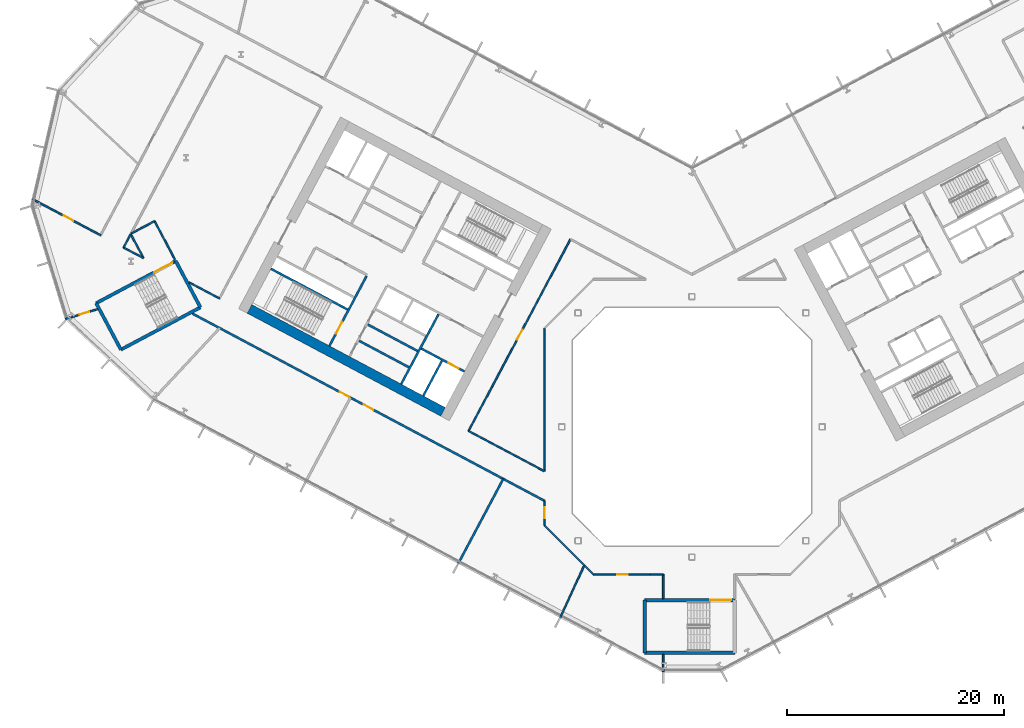
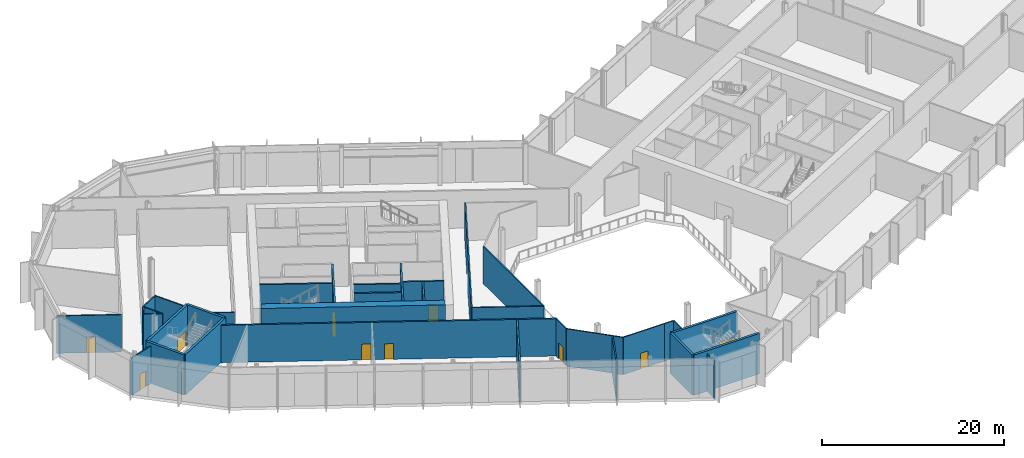
# One storey, part 12 of 32: 36 walls, 11 doors, 11 openings.
"""IFC4 building model written with IfcOpenShell, lengths in metres."""

from ifc_helpers import new_model, si_unit, direction, frame, frame_2d, origin, place, context, subcontext, project, spatial, rectangle, extrude, material, layer, layer_set, type_object, element, fill, save


model = new_model("IFC4")

# Units and contexts
model_context = context("Model", 3, precision=1e-05, world=origin(), true_north=direction((0.0, 1.0)))
body_context = subcontext(model_context, "Body", "Model", "MODEL_VIEW")
ifc_project = project(units=[si_unit("LENGTHUNIT", "METRE"), si_unit("AREAUNIT", "SQUARE_METRE"), si_unit("VOLUMEUNIT", "CUBIC_METRE"), si_unit("PLANEANGLEUNIT", "RADIAN"), si_unit("MASSUNIT", "GRAM", prefix="KILO")], contexts=[model_context])

# Site, building, storey
site_placement = place(None, origin())
site = spatial("IfcSite", under=ifc_project, at=site_placement, CompositionType="ELEMENT")
building_placement = place(site_placement, origin())
building = spatial("IfcBuilding", under=site, at=building_placement, Name="Cormorant Relay Tower", CompositionType="ELEMENT")
storey_placement = place(building_placement, frame((0.0, 0.0, 60.800048828125)))
storey = spatial("IfcBuildingStorey", under=building, at=storey_placement, Name="L11", CompositionType="ELEMENT", Elevation=60.800048828125)

# Walls
ifc_material_1 = material(Name="Concrete 40 MPa", Category="concrete")
ifc_layer_1 = layer(ifc_material_1, 0.199951171875)
ifc_layer_set_1 = layer_set([ifc_layer_1], Name="Core internal wall 200")
wall_type_1 = type_object("IfcWallType", Name="Core internal wall 200", PredefinedType="SOLIDWALL", material=ifc_layer_set_1)
for number, where, z_axis, x_axis, name in (
    (1, (-25.279541015625, 6.985595703125, 0.0), (0.0, 0.0, 1.0), (-0.882934506056, 0.469496174655, 0.0), "L11 core A shaft and room wall"),
    (2, (-26.07763671875, 5.484619140625, 0.0), (0.0, 0.0, 1.0), (-0.882934506056, 0.469496174655, 0.0), "L11 core A shaft and room wall"),
):
    element("IfcWall", number, at=place(storey_placement, frame(where, z_axis=z_axis, x_axis=x_axis)), inside=storey, type_object=wall_type_1, Name=name, PredefinedType="SOLIDWALL", context=body_context, shape_type="SweptSolid", body=[
        extrude(rectangle(XDim=5.199951171875, YDim=0.199951171875, at=frame_2d((2.60009765625, 0.0))), origin(), (0.0, 0.0, 1.0), 5.39990234375),
    ])
ifc_material_2 = material(Name="Concrete 50 MPa", Category="concrete")
ifc_layer_2 = layer(ifc_material_2, 0.199951171875)
ifc_layer_set_2 = layer_set([ifc_layer_2], Name="Core shaft wall 200")
wall_type_2 = type_object("IfcWallType", Name="Core shaft wall 200", PredefinedType="SHEAR", material=ifc_layer_set_2)
wall_1_placement = place(storey_placement, frame((-23.04296875, 6.07958984375, 0.0), z_axis=(0.0, 0.0, 1.0), x_axis=(-0.469494272526, -0.882935517501, 0.0)))
element("IfcWall", 3, at=wall_1_placement, inside=storey, type_object=wall_type_2, Name="L11 core A shaft wall", PredefinedType="SHEAR", context=body_context, shape_type="SweptSolid", body=[
    extrude(rectangle(XDim=3.64990234375, YDim=0.199951171875, at=frame_2d((1.824951171875, 0.0))), origin(), (0.0, 0.0, 1.0), 5.39990234375),
])
wall_2_placement = place(storey_placement, frame((-23.360107421875, 10.38232421875, 0.0), z_axis=(0.0, 0.0, 1.0), x_axis=(-0.469480409012, -0.88294288918, 0.0)))
element("IfcWall", 4, at=wall_2_placement, inside=storey, type_object=wall_type_2, Name="L11 core A shaft wall", PredefinedType="SHEAR", context=body_context, shape_type="SweptSolid", body=[
    extrude(rectangle(XDim=7.300048828125, YDim=0.199951171875, at=frame_2d((3.64990234375, 0.0))), origin(), (0.0, 0.0, 1.0), 5.39990234375),
])

# Wall, opening, door
wall_3_placement = place(storey_placement, frame((-29.982421875, 13.9033203125, 0.0), z_axis=(0.0, 0.0, 1.0), x_axis=(-0.469454336211, -0.882956752176, 0.0)))
wall_3 = element("IfcWall", 5, at=wall_3_placement, inside=storey, type_object=wall_type_2, Name="L11 core A shaft wall", PredefinedType="SHEAR", context=body_context, shape_type="SweptSolid", body=[
    extrude(rectangle(XDim=7.300048828125, YDim=0.199951171875, at=frame_2d((3.64990234375, 0.0))), origin(), (0.0, 0.0, 1.0), 5.39990234375),
])
opening_1_placement = place(wall_3_placement, frame((4.800048828125, 0.0, 0.0)))
opening_1 = element("IfcOpeningElement", 6, at=opening_1_placement, cuts=wall_3, Name="Opening CDB-020", PredefinedType="OPENING", context=body_context, shape_type="SweptSolid", body=[
    extrude(rectangle(XDim=1.199951171875, YDim=2.10009765625, at=frame_2d((0.60009765625, 1.050048828125))), frame((0.0, 0.10986328125, 0.0), z_axis=(0.0, -1.0, 0.0), x_axis=(1.0, 0.0, 0.0)), (0.0, 0.0, 1.0), 0.219970703125),
])
ifc_material_3 = material(Name="Steel fire door", Category="steel")
door_type_1 = type_object("IfcDoorType", Name="Core stair door 1200x2100", OperationType="SINGLE_SWING_LEFT", PredefinedType="DOOR", material=ifc_material_3)
door_1_placement = place(opening_1_placement, frame((1.199951171875, 0.0, 0.0), z_axis=(0.0, 0.0, 1.0), x_axis=(-1.0, 0.0, 0.0)))
door_1 = element("IfcDoor", 7, at=door_1_placement, inside=storey, type_object=door_type_1, Name="Core stair door 1200x2100", OperationType="SINGLE_SWING_RIGHT", OverallHeight=2.10009765625, OverallWidth=1.199951171875, PredefinedType="DOOR", context=body_context, shape_type="SweptSolid", body=[
    extrude(rectangle(XDim=1.199951171875, YDim=2.10009765625, at=frame_2d((0.60009765625, 1.050048828125))), frame((0.0, 0.02490234375, 0.0), z_axis=(0.0, -1.0, 0.0), x_axis=(1.0, 0.0, 0.0)), (0.0, 0.0, 1.0), 0.050048828125),
])
fill(opening_1, door_1)

wall_4_placement = place(storey_placement, frame((-20.96533203125, 5.088134765625, 0.0), z_axis=(0.0, 0.0, 1.0), x_axis=(-0.882925986334, 0.469512196493, 0.0)))
wall_4 = element("IfcWall", 8, at=wall_4_placement, inside=storey, type_object=wall_type_2, Name="L11 core A shaft wall", PredefinedType="SHEAR", context=body_context, shape_type="SweptSolid", body=[
    extrude(rectangle(XDim=4.5, YDim=0.199951171875, at=frame_2d((2.25, 0.0))), origin(), (0.0, 0.0, 1.0), 5.39990234375),
])
opening_2_placement = place(wall_4_placement, frame((0.60009765625, 0.0, 0.0)))
opening_2 = element("IfcOpeningElement", 9, at=opening_2_placement, cuts=wall_4, Name="Opening LD1-019", PredefinedType="OPENING", context=body_context, shape_type="SweptSolid", body=[
    extrude(rectangle(XDim=1.10009765625, YDim=2.10009765625, at=frame_2d((0.550048828125, 1.050048828125))), frame((0.0, 0.10986328125, 0.0), z_axis=(0.0, -1.0, 0.0), x_axis=(1.0, 0.0, 0.0)), (0.0, 0.0, 1.0), 0.219970703125),
])
ifc_material_4 = material(Name="Stainless steel 316", Category="steel")
door_type_2 = type_object("IfcDoorType", Name="Lift landing door 1100x2100", OperationType="DOUBLE_DOOR_SLIDING", PredefinedType="DOOR", material=ifc_material_4)
door_2_placement = place(opening_2_placement, origin())
door_2 = element("IfcDoor", 10, at=door_2_placement, inside=storey, type_object=door_type_2, Name="FF1 landing door", OperationType="DOUBLE_DOOR_SLIDING", OverallHeight=2.10009765625, OverallWidth=1.10009765625, PredefinedType="DOOR", context=body_context, shape_type="SweptSolid", body=[
    extrude(rectangle(XDim=1.10009765625, YDim=2.10009765625, at=frame_2d((0.550048828125, 1.050048828125))), frame((0.0, 0.02490234375, 0.0), z_axis=(0.0, -1.0, 0.0), x_axis=(1.0, 0.0, 0.0)), (0.0, 0.0, 1.0), 0.050048828125),
])
fill(opening_2, door_2)

# Walls
wall_5_placement = place(storey_placement, frame((-31.7373046875, 10.815673828125, 0.0), z_axis=(0.0, 0.0, 1.0), x_axis=(-0.882940221191, 0.469485426614, 0.0)))
element("IfcWall", 11, at=wall_5_placement, inside=storey, type_object=wall_type_2, Name="L11 core A shaft wall", PredefinedType="SHEAR", context=body_context, shape_type="SweptSolid", body=[
    extrude(rectangle(XDim=8.0, YDim=0.199951171875, at=frame_2d((4.0, 0.0))), origin(), (0.0, 0.0, 1.0), 5.39990234375),
])
ifc_material_5 = material(Name="Concrete 70 MPa", Category="concrete")
ifc_layer_3 = layer(ifc_material_5, 0.89990234375)
ifc_layer_set_3 = layer_set([ifc_layer_3], Name="Core wall 900")
wall_type_3 = type_object("IfcWallType", Name="Core wall 900", PredefinedType="SHEAR", material=ifc_layer_set_3)
wall_6_placement = place(storey_placement, frame((-22.93701171875, 1.3798828125, 0.0), z_axis=(0.0, 0.0, 1.0), x_axis=(-0.88295276571, 0.46946183394, 0.0)))
element("IfcWall", 12, at=wall_6_placement, inside=storey, type_object=wall_type_3, Name="L11 core A wall", PredefinedType="SHEAR", context=body_context, shape_type="SweptSolid", body=[
    extrude(rectangle(XDim=20.199951171875, YDim=0.89990234375, at=frame_2d((10.10009765625, 0.0))), origin(), (0.0, 0.0, 1.0), 5.39990234375),
])

# Wall, openings, doors
ifc_material_6 = material(Name="Fire-rated gypsum board partition")
ifc_layer_4 = layer(ifc_material_6, 0.199951171875)
ifc_layer_set_4 = layer_set([ifc_layer_4], Name="Fire-rated gypsum partition 200")
wall_type_4 = type_object("IfcWallType", Name="Fire-rated gypsum partition 200", PredefinedType="PARTITIONING", material=ifc_layer_set_4)
wall_7_placement = place(storey_placement, frame((-13.60009765625, -6.81298828125, 0.0), z_axis=(0.0, 0.0, 1.0), x_axis=(-0.882934546757, 0.469496098113, 0.0)))
wall_7 = element("IfcWall", 13, at=wall_7_placement, inside=storey, type_object=wall_type_4, Name="wall/L11/part/16", PredefinedType="PARTITIONING", context=body_context, shape_type="SweptSolid", body=[
    extrude(rectangle(XDim=36.757568359375, YDim=0.199951171875, at=frame_2d((18.37890625, 0.0))), origin(), (0.0, 0.0, 1.0), 5.0),
])
opening_3_placement = place(wall_7_placement, frame((20.35009765625, 0.0, 0.0)))
opening_3 = element("IfcOpeningElement", 14, at=opening_3_placement, cuts=wall_7, Name="Opening FD1-066", PredefinedType="OPENING", context=body_context, shape_type="SweptSolid", body=[
    extrude(rectangle(XDim=1.0, YDim=2.10009765625, at=frame_2d((0.5, 1.050048828125))), frame((0.0, 0.10986328125, 0.0), z_axis=(0.0, -1.0, 0.0), x_axis=(1.0, 0.0, 0.0)), (0.0, 0.0, 1.0), 0.219970703125),
])
opening_4_placement = place(wall_7_placement, frame((17.85009765625, 0.0, 0.0)))
opening_4 = element("IfcOpeningElement", 15, at=opening_4_placement, cuts=wall_7, Name="Opening FD1-067", PredefinedType="OPENING", context=body_context, shape_type="SweptSolid", body=[
    extrude(rectangle(XDim=1.0, YDim=2.10009765625, at=frame_2d((0.5, 1.050048828125))), frame((0.0, 0.10986328125, 0.0), z_axis=(0.0, -1.0, 0.0), x_axis=(1.0, 0.0, 0.0)), (0.0, 0.0, 1.0), 0.219970703125),
])
ifc_material_7 = material(Name="Fire-rated steel door", Category="steel")
door_type_3 = type_object("IfcDoorType", Name="Fire door 1000 x 2100", OperationType="SINGLE_SWING_LEFT", PredefinedType="DOOR", material=ifc_material_7)
door_3_placement = place(opening_3_placement, origin())
door_3 = element("IfcDoor", 16, at=door_3_placement, inside=storey, type_object=door_type_3, Name="door/L11/18", OperationType="SINGLE_SWING_LEFT", OverallHeight=2.10009765625, OverallWidth=1.0, PredefinedType="DOOR", context=body_context, shape_type="SweptSolid", body=[
    extrude(rectangle(XDim=1.0, YDim=2.10009765625, at=frame_2d((0.5, 1.050048828125))), frame((0.0, 0.02490234375, 0.0), z_axis=(0.0, -1.0, 0.0), x_axis=(1.0, 0.0, 0.0)), (0.0, 0.0, 1.0), 0.050048828125),
])
fill(opening_3, door_3)
door_4_placement = place(opening_4_placement, origin())
door_4 = element("IfcDoor", 17, at=door_4_placement, inside=storey, type_object=door_type_3, Name="door/L11/19", OperationType="SINGLE_SWING_RIGHT", OverallHeight=2.10009765625, OverallWidth=1.0, PredefinedType="DOOR", context=body_context, shape_type="SweptSolid", body=[
    extrude(rectangle(XDim=1.0, YDim=2.10009765625, at=frame_2d((0.5, 1.050048828125))), frame((0.0, 0.02490234375, 0.0), z_axis=(0.0, -1.0, 0.0), x_axis=(1.0, 0.0, 0.0)), (0.0, 0.0, 1.0), 0.050048828125),
])
fill(opening_4, door_4)

# Wall
wall_8_placement = place(storey_placement, frame((-17.387939453125, -4.798095703125, 0.0), z_axis=(0.0, 0.0, 1.0), x_axis=(-0.469532456729, -0.882915212281, 0.0)))
element("IfcWall", 18, at=wall_8_placement, inside=storey, type_object=wall_type_4, Name="wall/L11/part/19", PredefinedType="PARTITIONING", context=body_context, shape_type="SweptSolid", body=[
    extrude(rectangle(XDim=8.80029296875, YDim=0.199951171875, at=frame_2d((4.400146484375, 0.0))), origin(), (0.0, 0.0, 1.0), 5.0),
])

# Wall, opening, door
ifc_material_8 = material(Name="Gypsum board partition")
ifc_layer_5 = layer(ifc_material_8, 0.14990234375)
ifc_layer_set_5 = layer_set([ifc_layer_5], Name="Gypsum board partition 150")
wall_type_5 = type_object("IfcWallType", Name="Gypsum board partition 150", PredefinedType="PARTITIONING", material=ifc_layer_set_5)
wall_9_placement = place(storey_placement, frame((-54.492919921875, 17.64892578125, 0.0), z_axis=(0.0, 0.0, 1.0), x_axis=(-0.882938254124, 0.469489125971, 0.0)))
wall_9 = element("IfcWall", 19, at=wall_9_placement, inside=storey, type_object=wall_type_5, Name="wall/L11/part/4", PredefinedType="PARTITIONING", context=body_context, shape_type="SweptSolid", body=[
    extrude(rectangle(XDim=7.127197265625, YDim=0.14990234375, at=frame_2d((3.5634765625, 0.0))), origin(), (0.0, 0.0, 1.0), 5.0),
])
opening_5_placement = place(wall_9_placement, frame((2.85009765625, 0.0, 0.0)))
opening_5 = element("IfcOpeningElement", 20, at=opening_5_placement, cuts=wall_9, Name="Opening D1-024", PredefinedType="OPENING", context=body_context, shape_type="SweptSolid", body=[
    extrude(rectangle(XDim=1.0, YDim=2.10009765625, at=frame_2d((0.5, 1.050048828125))), frame((0.0, 0.0849609375, 0.0), z_axis=(0.0, -1.0, 0.0), x_axis=(1.0, 0.0, 0.0)), (0.0, 0.0, 1.0), 0.169921875),
])
ifc_material_9 = material(Name="Painted steel door", Category="steel")
door_type_4 = type_object("IfcDoorType", Name="Single door 1000 x 2100", OperationType="SINGLE_SWING_LEFT", PredefinedType="DOOR", material=ifc_material_9)
door_5_placement = place(opening_5_placement, frame((1.0, 0.0, 0.0), z_axis=(0.0, 0.0, 1.0), x_axis=(-1.0, 0.0, 0.0)))
door_5 = element("IfcDoor", 21, at=door_5_placement, inside=storey, type_object=door_type_4, Name="door/L11/2", OperationType="SINGLE_SWING_RIGHT", OverallHeight=2.10009765625, OverallWidth=1.0, PredefinedType="DOOR", context=body_context, shape_type="SweptSolid", body=[
    extrude(rectangle(XDim=1.0, YDim=2.10009765625, at=frame_2d((0.5, 1.050048828125))), frame((0.0, 0.02490234375, 0.0), z_axis=(0.0, -1.0, 0.0), x_axis=(1.0, 0.0, 0.0)), (0.0, 0.0, 1.0), 0.050048828125),
])
fill(opening_5, door_5)

wall_10_placement = place(storey_placement, frame((-54.7607421875, 10.847900390625, 0.0), z_axis=(0.0, 0.0, 1.0), x_axis=(-0.956301064033, -0.29238378021, 0.0)))
wall_10 = element("IfcWall", 22, at=wall_10_placement, inside=storey, type_object=wall_type_5, Name="wall/L11/part/5", PredefinedType="PARTITIONING", context=body_context, shape_type="SweptSolid", body=[
    extrude(rectangle(XDim=3.115478515625, YDim=0.14990234375, at=frame_2d((1.5576171875, 0.0))), origin(), (0.0, 0.0, 1.0), 5.0),
])
opening_6_placement = place(wall_10_placement, frame((0.820068359375, 0.0, 0.0)))
opening_6 = element("IfcOpeningElement", 23, at=opening_6_placement, cuts=wall_10, Name="Opening D2-009", PredefinedType="OPENING", context=body_context, shape_type="SweptSolid", body=[
    extrude(rectangle(XDim=0.949951171875, YDim=2.10009765625, at=frame_2d((0.47509765625, 1.050048828125))), frame((0.0, 0.0849609375, 0.0), z_axis=(0.0, -1.0, 0.0), x_axis=(1.0, 0.0, 0.0)), (0.0, 0.0, 1.0), 0.169921875),
])
ifc_material_10 = material(Name="Timber door", Category="wood")
door_type_5 = type_object("IfcDoorType", Name="Toilet door 950 x 2100", OperationType="SINGLE_SWING_LEFT", PredefinedType="DOOR", material=ifc_material_10)
door_6_placement = place(opening_6_placement, origin())
door_6 = element("IfcDoor", 24, at=door_6_placement, inside=storey, type_object=door_type_5, Name="door/L11/17", OperationType="SINGLE_SWING_RIGHT", OverallHeight=2.10009765625, OverallWidth=0.949951171875, PredefinedType="DOOR", context=body_context, shape_type="SweptSolid", body=[
    extrude(rectangle(XDim=0.949951171875, YDim=2.10009765625, at=frame_2d((0.47509765625, 1.050048828125))), frame((0.0, 0.02490234375, 0.0), z_axis=(0.0, -1.0, 0.0), x_axis=(1.0, 0.0, 0.0)), (0.0, 0.0, 1.0), 0.050048828125),
])
fill(opening_6, door_6)

# Walls
wall_11_placement = place(storey_placement, frame((-47.63720703125, 15.40869140625, 0.0), z_axis=(0.0, 0.0, 1.0), x_axis=(-0.469590790968, 0.882884187783, 0.0)))
element("IfcWall", 25, at=wall_11_placement, inside=storey, type_object=wall_type_5, Name="wall/L11/part/10", PredefinedType="PARTITIONING", context=body_context, shape_type="SweptSolid", body=[
    extrude(rectangle(XDim=4.015625, YDim=0.14990234375, at=frame_2d((2.0078125, 0.0))), origin(), (0.0, 0.0, 1.0), 5.0),
])
wall_12_placement = place(storey_placement, frame((-49.52294921875, 18.9541015625, 0.0), z_axis=(0.0, 0.0, 1.0), x_axis=(-0.882767334528, -0.469810422501, 0.0)))
element("IfcWall", 26, at=wall_12_placement, inside=storey, type_object=wall_type_5, Name="wall/L11/part/11", PredefinedType="PARTITIONING", context=body_context, shape_type="SweptSolid", body=[
    extrude(rectangle(XDim=2.460693359375, YDim=0.14990234375, at=frame_2d((1.23046875, 0.0))), origin(), (0.0, 0.0, 1.0), 5.0),
])
wall_13_placement = place(storey_placement, frame((-43.5439453125, 11.826904296875, 0.0), z_axis=(0.0, 0.0, 1.0), x_axis=(-0.88289413979, 0.469572079584, 0.0)))
element("IfcWall", 27, at=wall_13_placement, inside=storey, type_object=wall_type_5, Name="wall/L11/part/15", PredefinedType="PARTITIONING", context=body_context, shape_type="SweptSolid", body=[
    extrude(rectangle(XDim=3.16845703125, YDim=0.14990234375, at=frame_2d((1.584228515625, 0.0))), origin(), (0.0, 0.0, 1.0), 5.0),
])
wall_14_placement = place(storey_placement, frame((-9.91796875, -12.759033203125, 0.0), z_axis=(0.0, 0.0, 1.0), x_axis=(-0.707106781187, 0.707106781187, 0.0)))
element("IfcWall", 28, at=wall_14_placement, inside=storey, type_object=wall_type_5, Name="wall/L11/part/22", PredefinedType="PARTITIONING", context=body_context, shape_type="SweptSolid", body=[
    extrude(rectangle(XDim=5.207275390625, YDim=0.14990234375, at=frame_2d((2.603515625, 0.0))), origin(), (0.0, 0.0, 1.0), 5.0),
])

# Wall, opening, door
wall_15_placement = place(storey_placement, frame((-13.60009765625, -9.076904296875, 0.0), z_axis=(0.0, 0.0, 1.0), x_axis=(0.0, 1.0, 0.0)))
wall_15 = element("IfcWall", 29, at=wall_15_placement, inside=storey, type_object=wall_type_5, Name="wall/L11/part/23", PredefinedType="PARTITIONING", context=body_context, shape_type="SweptSolid", body=[
    extrude(rectangle(XDim=2.2490234375, YDim=0.14990234375, at=frame_2d((1.12451171875, 0.0))), origin(), (0.0, 0.0, 1.0), 5.0),
])
opening_7_placement = place(wall_15_placement, frame((0.64990234375, 0.0, 0.0)))
opening_7 = element("IfcOpeningElement", 30, at=opening_7_placement, cuts=wall_15, Name="Opening D1-025", PredefinedType="OPENING", context=body_context, shape_type="SweptSolid", body=[
    extrude(rectangle(XDim=1.0, YDim=2.10009765625, at=frame_2d((0.5, 1.050048828125))), frame((0.0, 0.0849609375, 0.0), z_axis=(0.0, -1.0, 0.0), x_axis=(1.0, 0.0, 0.0)), (0.0, 0.0, 1.0), 0.169921875),
])
door_7_placement = place(opening_7_placement, origin())
door_7 = element("IfcDoor", 31, at=door_7_placement, inside=storey, type_object=door_type_4, Name="door/L11/20", OperationType="SINGLE_SWING_RIGHT", OverallHeight=2.10009765625, OverallWidth=1.0, PredefinedType="DOOR", context=body_context, shape_type="SweptSolid", body=[
    extrude(rectangle(XDim=1.0, YDim=2.10009765625, at=frame_2d((0.5, 1.050048828125))), frame((0.0, 0.02490234375, 0.0), z_axis=(0.0, -1.0, 0.0), x_axis=(1.0, 0.0, 0.0)), (0.0, 0.0, 1.0), 0.050048828125),
])
fill(opening_7, door_7)

# Wall
wall_16_placement = place(storey_placement, frame((-9.91796875, -12.759033203125, 0.0), z_axis=(0.0, 0.0, 1.0), x_axis=(-0.41878582264, -0.908085037183, 0.0)))
element("IfcWall", 32, at=wall_16_placement, inside=storey, type_object=wall_type_5, Name="wall/L11/part/24", PredefinedType="PARTITIONING", context=body_context, shape_type="SweptSolid", body=[
    extrude(rectangle(XDim=5.286865234375, YDim=0.14990234375, at=frame_2d((2.6435546875, 0.0))), origin(), (0.0, 0.0, 1.0), 5.0),
])

# Wall, opening, door
wall_17_placement = place(storey_placement, frame((-3.887939453125, -13.60009765625, 0.0), z_axis=(0.0, 0.0, 1.0), x_axis=(-1.0, 0.0, 0.0)))
wall_17 = element("IfcWall", 33, at=wall_17_placement, inside=storey, type_object=wall_type_5, Name="wall/L11/part/25", PredefinedType="PARTITIONING", context=body_context, shape_type="SweptSolid", body=[
    extrude(rectangle(XDim=5.18896484375, YDim=0.14990234375, at=frame_2d((2.594482421875, 0.0))), origin(), (0.0, 0.0, 1.0), 5.0),
])
opening_8_placement = place(wall_17_placement, frame((2.050048828125, 0.0, 0.0)))
opening_8 = element("IfcOpeningElement", 34, at=opening_8_placement, cuts=wall_17, Name="Opening D2-010", PredefinedType="OPENING", context=body_context, shape_type="SweptSolid", body=[
    extrude(rectangle(XDim=0.949951171875, YDim=2.10009765625, at=frame_2d((0.47509765625, 1.050048828125))), frame((0.0, 0.0849609375, 0.0), z_axis=(0.0, -1.0, 0.0), x_axis=(1.0, 0.0, 0.0)), (0.0, 0.0, 1.0), 0.169921875),
])
door_8_placement = place(opening_8_placement, origin())
door_8 = element("IfcDoor", 35, at=door_8_placement, inside=storey, type_object=door_type_5, Name="door/L11/21", OperationType="SINGLE_SWING_LEFT", OverallHeight=2.10009765625, OverallWidth=0.949951171875, PredefinedType="DOOR", context=body_context, shape_type="SweptSolid", body=[
    extrude(rectangle(XDim=0.949951171875, YDim=2.10009765625, at=frame_2d((0.47509765625, 1.050048828125))), frame((0.0, 0.02490234375, 0.0), z_axis=(0.0, -1.0, 0.0), x_axis=(1.0, 0.0, 0.0)), (0.0, 0.0, 1.0), 0.050048828125),
])
fill(opening_8, door_8)

# Walls
wall_18_placement = place(storey_placement, frame((-9.076904296875, -13.60009765625, 0.0), z_axis=(0.0, 0.0, 1.0), x_axis=(-0.707106781187, 0.707106781187, 0.0)))
element("IfcWall", 36, at=wall_18_placement, inside=storey, type_object=wall_type_5, Name="wall/L11/part/26", PredefinedType="PARTITIONING", context=body_context, shape_type="SweptSolid", body=[
    extrude(rectangle(XDim=1.189453125, YDim=0.14990234375, at=frame_2d((0.5947265625, 0.0))), origin(), (0.0, 0.0, 1.0), 5.0),
])
wall_19_placement = place(storey_placement, frame((-2.64892578125, -15.840087890625, 0.0), z_axis=(0.0, 0.0, 1.0), x_axis=(0.0, 1.0, 0.0)))
element("IfcWall", 37, at=wall_19_placement, inside=storey, type_object=wall_type_5, Name="wall/L11/part/27", PredefinedType="PARTITIONING", context=body_context, shape_type="SweptSolid", body=[
    extrude(rectangle(XDim=2.239990234375, YDim=0.14990234375, at=frame_2d((1.1201171875, 0.0))), origin(), (0.0, 0.0, 1.0), 5.0),
])
wall_20_placement = place(storey_placement, frame((-2.64892578125, -13.60009765625, 0.0), z_axis=(0.0, 0.0, 1.0), x_axis=(-1.0, 0.0, 0.0)))
element("IfcWall", 38, at=wall_20_placement, inside=storey, type_object=wall_type_5, Name="wall/L11/part/28", PredefinedType="PARTITIONING", context=body_context, shape_type="SweptSolid", body=[
    extrude(rectangle(XDim=1.239013671875, YDim=0.14990234375, at=frame_2d((0.61962890625, 0.0))), origin(), (0.0, 0.0, 1.0), 5.0),
])
wall_21_placement = place(storey_placement, frame((-2.64892578125, -20.9599609375, 0.0), z_axis=(0.0, 0.0, 1.0), x_axis=(0.0, -1.0, 0.0)))
element("IfcWall", 39, at=wall_21_placement, inside=storey, type_object=wall_type_5, Name="wall/L11/part/29", PredefinedType="PARTITIONING", context=body_context, shape_type="SweptSolid", body=[
    extrude(rectangle(XDim=1.6220703125, YDim=0.14990234375, at=frame_2d((0.81103515625, 0.0))), origin(), (0.0, 0.0, 1.0), 5.0),
])
wall_22_placement = place(storey_placement, frame((-51.717041015625, 17.757080078125, 0.0), z_axis=(0.0, 0.0, 1.0), x_axis=(-0.469618761384, -0.882869310236, 0.0)))
element("IfcWall", 40, at=wall_22_placement, inside=storey, type_object=wall_type_5, Name="wall/L11/part/55", PredefinedType="PARTITIONING", context=body_context, shape_type="SweptSolid", body=[
    extrude(rectangle(XDim=1.39892578125, YDim=0.14990234375, at=frame_2d((0.699462890625, 0.0))), origin(), (0.0, 0.0, 1.0), 5.0),
])
wall_23_placement = place(storey_placement, frame((-52.3740234375, 16.52197265625, 0.0), z_axis=(0.0, 0.0, 1.0), x_axis=(0.882981472085, -0.469407839682, 0.0)))
element("IfcWall", 41, at=wall_23_placement, inside=storey, type_object=wall_type_5, Name="wall/L11/part/56", PredefinedType="PARTITIONING", context=body_context, shape_type="SweptSolid", body=[
    extrude(rectangle(XDim=2.072509765625, YDim=0.14990234375, at=frame_2d((1.0361328125, 0.0))), origin(), (0.0, 0.0, 1.0), 5.0),
])
wall_24_placement = place(storey_placement, frame((-50.5439453125, 15.549072265625, 0.0), z_axis=(0.0, 0.0, 1.0), x_axis=(-0.469183782948, 0.883100547967, 0.0)))
element("IfcWall", 42, at=wall_24_placement, inside=storey, type_object=wall_type_5, Name="wall/L11/part/57", PredefinedType="PARTITIONING", context=body_context, shape_type="SweptSolid", body=[
    extrude(rectangle(XDim=2.500244140625, YDim=0.14990234375, at=frame_2d((1.25, 0.0))), origin(), (0.0, 0.0, 1.0), 5.0),
])

# Wall, opening, door
wall_25_placement = place(storey_placement, frame((-20.587890625, -0.37890625, 0.0), z_axis=(0.0, 0.0, 1.0), x_axis=(0.469489882812, 0.882937851685, 0.0)))
wall_25 = element("IfcWall", 43, at=wall_25_placement, inside=storey, type_object=wall_type_5, Name="wall/L11/part/58", PredefinedType="PARTITIONING", context=body_context, shape_type="SweptSolid", body=[
    extrude(rectangle(XDim=20.000244140625, YDim=0.14990234375, at=frame_2d((10.0, 0.0))), origin(), (0.0, 0.0, 1.0), 5.0),
])
opening_9_placement = place(wall_25_placement, frame((9.550048828125, 0.0, 0.0)))
opening_9 = element("IfcOpeningElement", 44, at=opening_9_placement, cuts=wall_25, Name="Opening D1-027", PredefinedType="OPENING", context=body_context, shape_type="SweptSolid", body=[
    extrude(rectangle(XDim=1.0, YDim=2.10009765625, at=frame_2d((0.5, 1.050048828125))), frame((0.0, 0.0849609375, 0.0), z_axis=(0.0, -1.0, 0.0), x_axis=(1.0, 0.0, 0.0)), (0.0, 0.0, 1.0), 0.169921875),
])
door_9_placement = place(opening_9_placement, frame((1.0, 0.0, 0.0), z_axis=(0.0, 0.0, 1.0), x_axis=(-1.0, 0.0, 0.0)))
door_9 = element("IfcDoor", 45, at=door_9_placement, inside=storey, type_object=door_type_4, Name="door/L11/4", OperationType="SINGLE_SWING_LEFT", OverallHeight=2.10009765625, OverallWidth=1.0, PredefinedType="DOOR", context=body_context, shape_type="SweptSolid", body=[
    extrude(rectangle(XDim=1.0, YDim=2.10009765625, at=frame_2d((0.5, 1.050048828125))), frame((0.0, 0.02490234375, 0.0), z_axis=(0.0, -1.0, 0.0), x_axis=(1.0, 0.0, 0.0)), (0.0, 0.0, 1.0), 0.050048828125),
])
fill(opening_9, door_9)

# Walls
wall_26_placement = place(storey_placement, frame((-13.60009765625, 9.076904296875, 0.0), z_axis=(0.0, 0.0, 1.0), x_axis=(0.0, -1.0, 0.0)))
element("IfcWall", 46, at=wall_26_placement, inside=storey, type_object=wall_type_5, Name="wall/L11/part/62", PredefinedType="PARTITIONING", context=body_context, shape_type="SweptSolid", body=[
    extrude(rectangle(XDim=13.1708984375, YDim=0.14990234375, at=frame_2d((6.58544921875, 0.0))), origin(), (0.0, 0.0, 1.0), 5.0),
])
wall_27_placement = place(storey_placement, frame((-13.60009765625, -4.093994140625, 0.0), z_axis=(0.0, 0.0, 1.0), x_axis=(-0.882967890474, 0.469433386533, 0.0)))
element("IfcWall", 47, at=wall_27_placement, inside=storey, type_object=wall_type_5, Name="wall/L11/part/63", PredefinedType="PARTITIONING", context=body_context, shape_type="SweptSolid", body=[
    extrude(rectangle(XDim=7.9140625, YDim=0.14990234375, at=frame_2d((3.95703125, 0.0))), origin(), (0.0, 0.0, 1.0), 5.0),
])
ifc_material_11 = material(Name="Concrete 50 MPa", Category="concrete")
ifc_layer_6 = layer(ifc_material_11, 0.300048828125)
ifc_layer_set_6 = layer_set([ifc_layer_6], Name="Remote stair wall 300")
wall_type_6 = type_object("IfcWallType", Name="Remote stair wall 300", PredefinedType="SHEAR", material=ifc_layer_set_6)
wall_28_placement = place(storey_placement, frame((3.949951171875, -20.824951171875, 0.0), z_axis=(0.0, 0.0, 1.0), x_axis=(-1.0, 0.0, 0.0)))
element("IfcWall", 48, at=wall_28_placement, inside=storey, type_object=wall_type_6, Name="L11 exit stair RK1 wall", PredefinedType="SHEAR", context=body_context, shape_type="SweptSolid", body=[
    extrude(rectangle(XDim=8.300048828125, YDim=0.300048828125, at=frame_2d((4.14990234375, 0.0))), origin(), (0.0, 0.0, 1.0), 5.39990234375),
])
wall_29_placement = place(storey_placement, frame((-4.35009765625, -20.824951171875, 0.0), z_axis=(0.0, 0.0, 1.0), x_axis=(0.0, 1.0, 0.0)))
element("IfcWall", 49, at=wall_29_placement, inside=storey, type_object=wall_type_6, Name="L11 exit stair RK1 wall", PredefinedType="SHEAR", context=body_context, shape_type="SweptSolid", body=[
    extrude(rectangle(XDim=4.849853515625, YDim=0.300048828125, at=frame_2d((2.4248046875, 0.0))), origin(), (0.0, 0.0, 1.0), 5.39990234375),
])

# Wall, opening, door
wall_30_placement = place(storey_placement, frame((-4.35009765625, -15.97509765625, 0.0), z_axis=(0.0, 0.0, 1.0), x_axis=(1.0, 0.0, 0.0)))
wall_30 = element("IfcWall", 50, at=wall_30_placement, inside=storey, type_object=wall_type_6, Name="L11 exit stair RK1 wall", PredefinedType="SHEAR", context=body_context, shape_type="SweptSolid", body=[
    extrude(rectangle(XDim=8.300048828125, YDim=0.300048828125, at=frame_2d((4.14990234375, 0.0))), origin(), (0.0, 0.0, 1.0), 5.39990234375),
])
opening_10_placement = place(wall_30_placement, frame((6.050048828125, 0.0, 0.0)))
opening_10 = element("IfcOpeningElement", 51, at=opening_10_placement, cuts=wall_30, Name="Opening CDE-006", PredefinedType="OPENING", context=body_context, shape_type="SweptSolid", body=[
    extrude(rectangle(XDim=1.89990234375, YDim=2.10009765625, at=frame_2d((0.949951171875, 1.050048828125))), frame((0.0, 0.159912109375, 0.0), z_axis=(0.0, -1.0, 0.0), x_axis=(1.0, 0.0, 0.0)), (0.0, 0.0, 1.0), 0.320068359375),
])
ifc_material_12 = material(Name="Steel fire door", Category="steel")
door_type_6 = type_object("IfcDoorType", Name="Remote stair door 1900x2100", OperationType="DOUBLE_DOOR_SINGLE_SWING", PredefinedType="DOOR", material=ifc_material_12)
door_10_placement = place(opening_10_placement, frame((1.89990234375, 0.0, 0.0), z_axis=(0.0, 0.0, 1.0), x_axis=(-1.0, 0.0, 0.0)))
door_10 = element("IfcDoor", 52, at=door_10_placement, inside=storey, type_object=door_type_6, Name="Exit stair RK1 door", OperationType="DOUBLE_DOOR_SINGLE_SWING", OverallHeight=2.10009765625, OverallWidth=1.89990234375, PredefinedType="DOOR", context=body_context, shape_type="SweptSolid", body=[
    extrude(rectangle(XDim=1.89990234375, YDim=2.10009765625, at=frame_2d((0.949951171875, 1.050048828125))), frame((0.0, 0.02490234375, 0.0), z_axis=(0.0, -1.0, 0.0), x_axis=(1.0, 0.0, 0.0)), (0.0, 0.0, 1.0), 0.050048828125),
])
fill(opening_10, door_10)

# Walls
wall_31_placement = place(storey_placement, frame((-47.57421875, 15.28955078125, 0.0), z_axis=(0.0, 0.0, 1.0), x_axis=(0.469443498566, -0.882962514297, 0.0)))
element("IfcWall", 53, at=wall_31_placement, inside=storey, type_object=wall_type_6, Name="L11 exit stair RP1 wall", PredefinedType="SHEAR", context=body_context, shape_type="SweptSolid", body=[
    extrude(rectangle(XDim=4.85009765625, YDim=0.300048828125, at=frame_2d((2.425048828125, 0.0))), origin(), (0.0, 0.0, 1.0), 5.39990234375),
])
wall_32_placement = place(storey_placement, frame((-45.29736328125, 11.007080078125, 0.0), z_axis=(0.0, 0.0, 1.0), x_axis=(-0.882951519127, -0.469464178475, 0.0)))
element("IfcWall", 54, at=wall_32_placement, inside=storey, type_object=wall_type_6, Name="L11 exit stair RP1 wall", PredefinedType="SHEAR", context=body_context, shape_type="SweptSolid", body=[
    extrude(rectangle(XDim=8.2998046875, YDim=0.300048828125, at=frame_2d((4.14990234375, 0.0))), origin(), (0.0, 0.0, 1.0), 5.39990234375),
])
wall_33_placement = place(storey_placement, frame((-52.625732421875, 7.110595703125, 0.0), z_axis=(0.0, 0.0, 1.0), x_axis=(-0.469464364128, 0.882951420416, 0.0)))
element("IfcWall", 55, at=wall_33_placement, inside=storey, type_object=wall_type_6, Name="L11 exit stair RP1 wall", PredefinedType="SHEAR", context=body_context, shape_type="SweptSolid", body=[
    extrude(rectangle(XDim=4.849853515625, YDim=0.300048828125, at=frame_2d((2.4248046875, 0.0))), origin(), (0.0, 0.0, 1.0), 5.39990234375),
])

# Wall, opening, door
wall_34_placement = place(storey_placement, frame((-54.902587890625, 11.392822265625, 0.0), z_axis=(0.0, 0.0, 1.0), x_axis=(0.882939326045, 0.469487110071, 0.0)))
wall_34 = element("IfcWall", 56, at=wall_34_placement, inside=storey, type_object=wall_type_6, Name="L11 exit stair RP1 wall", PredefinedType="SHEAR", context=body_context, shape_type="SweptSolid", body=[
    extrude(rectangle(XDim=8.300048828125, YDim=0.300048828125, at=frame_2d((4.14990234375, 0.0))), origin(), (0.0, 0.0, 1.0), 5.39990234375),
])
opening_11_placement = place(wall_34_placement, frame((6.050048828125, 0.0, 0.0)))
opening_11 = element("IfcOpeningElement", 57, at=opening_11_placement, cuts=wall_34, Name="Opening CDE-007", PredefinedType="OPENING", context=body_context, shape_type="SweptSolid", body=[
    extrude(rectangle(XDim=1.89990234375, YDim=2.10009765625, at=frame_2d((0.949951171875, 1.050048828125))), frame((0.0, 0.159912109375, 0.0), z_axis=(0.0, -1.0, 0.0), x_axis=(1.0, 0.0, 0.0)), (0.0, 0.0, 1.0), 0.320068359375),
])
door_11_placement = place(opening_11_placement, frame((1.89990234375, 0.0, 0.0), z_axis=(0.0, 0.0, 1.0), x_axis=(-1.0, 0.0, 0.0)))
door_11 = element("IfcDoor", 58, at=door_11_placement, inside=storey, type_object=door_type_6, Name="Exit stair RP1 door", OperationType="DOUBLE_DOOR_SINGLE_SWING", OverallHeight=2.10009765625, OverallWidth=1.89990234375, PredefinedType="DOOR", context=body_context, shape_type="SweptSolid", body=[
    extrude(rectangle(XDim=1.89990234375, YDim=2.10009765625, at=frame_2d((0.949951171875, 1.050048828125))), frame((0.0, 0.02490234375, 0.0), z_axis=(0.0, -1.0, 0.0), x_axis=(1.0, 0.0, 0.0)), (0.0, 0.0, 1.0), 0.050048828125),
])
fill(opening_11, door_11)

save(model, "model.ifc")
